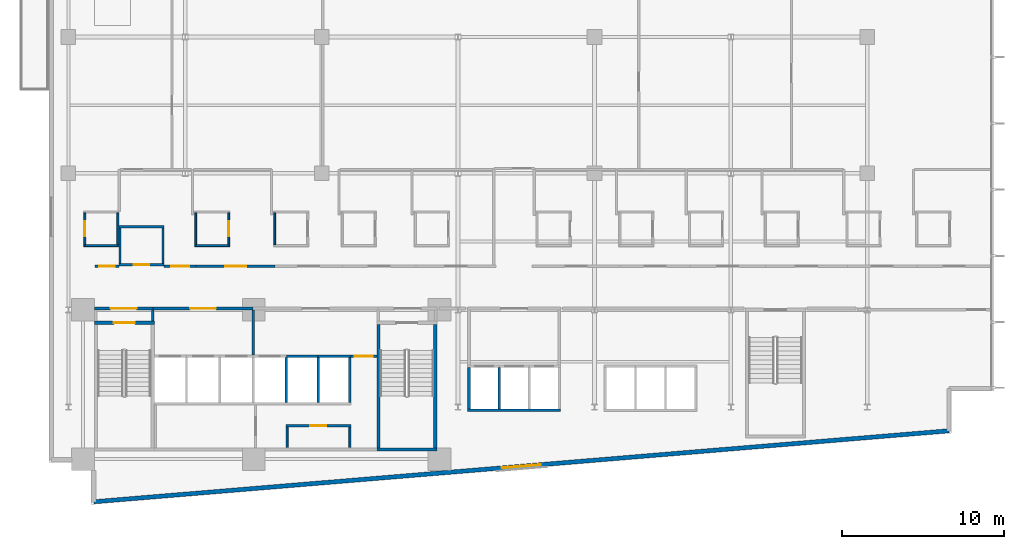
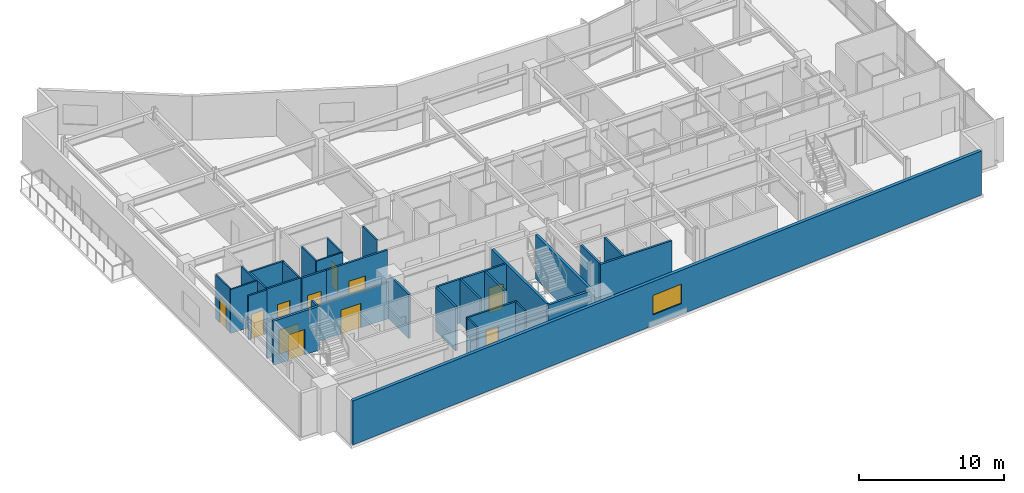
# One storey, part 12 of 21: 35 walls, 11 doors, 1 window, 12 openings.
"""IFC4 building model written with IfcOpenShell, lengths in metres."""

from ifc_helpers import new_model, si_unit, direction, frame, frame_2d, origin, place, context, subcontext, project, spatial, rectangle, extrude, material, layer, layer_set, type_object, element, fill, save


model = new_model("IFC4")

# Units and contexts
model_context = context("Model", 3, precision=1e-05, world=origin(), true_north=direction((0.0, 1.0)))
body_context = subcontext(model_context, "Body", "Model", "MODEL_VIEW")
ifc_project = project(units=[si_unit("LENGTHUNIT", "METRE"), si_unit("AREAUNIT", "SQUARE_METRE"), si_unit("VOLUMEUNIT", "CUBIC_METRE"), si_unit("PLANEANGLEUNIT", "RADIAN"), si_unit("MASSUNIT", "GRAM", prefix="KILO")], contexts=[model_context])

# Site, building, storey
site_placement = place(None, origin())
site = spatial("IfcSite", under=ifc_project, at=site_placement, CompositionType="ELEMENT")
building_placement = place(site_placement, origin())
building = spatial("IfcBuilding", under=site, at=building_placement, Name="Varnakote Quay Hospital", CompositionType="ELEMENT")
storey_placement = place(building_placement, frame((0.0, 0.0, 42.25)))
storey = spatial("IfcBuildingStorey", under=building, at=storey_placement, Name="L10", CompositionType="ELEMENT", Elevation=42.25)

# Wall, opening, door
ifc_material_1 = material(Name="Fire-rated acoustic gypsum stud wall", Category="gypsum")
ifc_layer_1 = layer(ifc_material_1, 0.159912109375)
ifc_layer_set_1 = layer_set([ifc_layer_1], Name="Fire-rated acoustic gypsum stud wall")
wall_type_1 = type_object("IfcWallType", Name="WL-COMP-160", PredefinedType="PARTITIONING", material=ifc_layer_set_1)
wall_1_placement = place(storey_placement, frame((2.800048828125, 12.080078125, 0.0), z_axis=(0.0, 0.0, 1.0), x_axis=(1.0, 0.0, 0.0)))
wall_1 = element("IfcWall", 1, at=wall_1_placement, inside=storey, type_object=wall_type_1, Name="L10 West Stair Vestibule Smoke Wall", PredefinedType="PARTITIONING", context=body_context, shape_type="SweptSolid", body=[
    extrude(rectangle(XDim=3.599853515625, YDim=0.159912109375, at=frame_2d((1.7998046875, 0.0))), origin(), (0.0, 0.0, 1.0), 3.072998046875),
])
opening_1_placement = place(wall_1_placement, frame((1.0, 0.0, 0.0)))
opening_1 = element("IfcOpeningElement", 2, at=opening_1_placement, cuts=wall_1, Name="Opening D-ST1L-L10", PredefinedType="OPENING", context=body_context, shape_type="SweptSolid", body=[
    extrude(rectangle(XDim=1.60009765625, YDim=2.050048828125, at=frame_2d((0.800048828125, 1.02490234375))), frame((0.0, 0.08984375, 0.0), z_axis=(0.0, -1.0, 0.0), x_axis=(1.0, 0.0, 0.0)), (0.0, 0.0, 1.0), 0.179931640625),
])
ifc_material_2 = material(Name="Fire-rated double smoke lobby door")
door_type_1 = type_object("IfcDoorType", Name="DR-LOBBY-FD60S-1600x2150", OperationType="NOTDEFINED", PredefinedType="DOOR", material=ifc_material_2)
door_1_placement = place(opening_1_placement, origin())
door_1 = element("IfcDoor", 3, at=door_1_placement, inside=storey, type_object=door_type_1, Name="L10 West Stair Vestibule Smoke Door", OperationType="DOUBLE_DOOR_SINGLE_SWING", OverallHeight=2.050048828125, OverallWidth=1.60009765625, PredefinedType="DOOR", context=body_context, shape_type="SweptSolid", body=[
    extrude(rectangle(XDim=1.60009765625, YDim=2.050048828125, at=frame_2d((0.800048828125, 1.02490234375))), frame((0.0, 0.02490234375, 0.0), z_axis=(0.0, -1.0, 0.0), x_axis=(1.0, 0.0, 0.0)), (0.0, 0.0, 1.0), 0.050048828125),
])
fill(opening_1, door_1)

# Wall
wall_2_placement = place(storey_placement, frame((6.39990234375, 11.300048828125, 0.0), z_axis=(0.0, 0.0, 1.0), x_axis=(0.0, 1.0, 0.0)))
element("IfcWall", 4, at=wall_2_placement, inside=storey, type_object=wall_type_1, Name="L10 Firefighting Lobby West Wall", PredefinedType="PARTITIONING", context=body_context, shape_type="SweptSolid", body=[
    extrude(rectangle(XDim=0.699951171875, YDim=0.159912109375, at=frame_2d((0.35009765625, 0.0))), origin(), (0.0, 0.0, 1.0), 3.7099609375),
])

# Wall, opening, door
wall_3_placement = place(storey_placement, frame((6.39990234375, 12.080078125, 0.0), z_axis=(0.0, 0.0, 1.0), x_axis=(1.0, 0.0, 0.0)))
wall_3 = element("IfcWall", 5, at=wall_3_placement, inside=storey, type_object=wall_type_1, Name="L10 Firefighting Lift Lobby Compartment Wall", PredefinedType="PARTITIONING", context=body_context, shape_type="SweptSolid", body=[
    extrude(rectangle(XDim=6.18017578125, YDim=0.159912109375, at=frame_2d((3.090087890625, 0.0))), origin(), (0.0, 0.0, 1.0), 3.072998046875),
])
opening_2_placement = place(wall_3_placement, frame((2.2900390625, 0.0, 0.0)))
opening_2 = element("IfcOpeningElement", 6, at=opening_2_placement, cuts=wall_3, Name="Opening D-FFL-L10", PredefinedType="OPENING", context=body_context, shape_type="SweptSolid", body=[
    extrude(rectangle(XDim=1.60009765625, YDim=2.050048828125, at=frame_2d((0.800048828125, 1.02490234375))), frame((0.0, 0.08984375, 0.0), z_axis=(0.0, -1.0, 0.0), x_axis=(1.0, 0.0, 0.0)), (0.0, 0.0, 1.0), 0.179931640625),
])
door_2_placement = place(opening_2_placement, origin())
door_2 = element("IfcDoor", 7, at=door_2_placement, inside=storey, type_object=door_type_1, Name="L10 Firefighting Smoke Vestibule Door", OperationType="DOUBLE_DOOR_SINGLE_SWING", OverallHeight=2.050048828125, OverallWidth=1.60009765625, PredefinedType="DOOR", context=body_context, shape_type="SweptSolid", body=[
    extrude(rectangle(XDim=1.60009765625, YDim=2.050048828125, at=frame_2d((0.800048828125, 1.02490234375))), frame((0.0, 0.02490234375, 0.0), z_axis=(0.0, -1.0, 0.0), x_axis=(1.0, 0.0, 0.0)), (0.0, 0.0, 1.0), 0.050048828125),
])
fill(opening_2, door_2)

# Walls
wall_4_placement = place(storey_placement, frame((12.580078125, 9.2099609375, 0.0), z_axis=(0.0, 0.0, 1.0), x_axis=(0.0, 1.0, 0.0)))
element("IfcWall", 8, at=wall_4_placement, inside=storey, type_object=wall_type_1, Name="L10 Firefighting to Service Lobby Wall", PredefinedType="PARTITIONING", context=body_context, shape_type="SweptSolid", body=[
    extrude(rectangle(XDim=2.7900390625, YDim=0.159912109375, at=frame_2d((1.39501953125, 0.0))), origin(), (0.0, 0.0, 1.0), 3.7099609375),
])
ifc_material_3 = material(Name="Moisture-resistant bathroom partition", Category="gypsum")
ifc_layer_2 = layer(ifc_material_3, 0.114990234375)
ifc_layer_set_2 = layer_set([ifc_layer_2], Name="Moisture-resistant bathroom partition")
wall_type_2 = type_object("IfcWallType", Name="WL-ENS-115", PredefinedType="PARTITIONING", material=ifc_layer_set_2)
wall_5_placement = place(storey_placement, frame((2.155029296875, 15.952392578125, 0.0), z_axis=(0.0, 0.0, 1.0), x_axis=(1.0, 0.0, 0.0)))
element("IfcWall", 9, at=wall_5_placement, inside=storey, type_object=wall_type_2, Name="L10 Inpatient En-Suite Bathroom 01 S Wall", PredefinedType="PARTITIONING", context=body_context, shape_type="SweptSolid", body=[
    extrude(rectangle(XDim=2.14990234375, YDim=0.114990234375, at=frame_2d((1.074951171875, 0.0))), origin(), (0.0, 0.0, 1.0), 3.7099609375),
])

# Wall, opening, door
wall_6_placement = place(storey_placement, frame((2.21240234375, 16.010009765625, 0.0), z_axis=(0.0, 0.0, 1.0), x_axis=(0.0, 1.0, 0.0)))
wall_6 = element("IfcWall", 10, at=wall_6_placement, inside=storey, type_object=wall_type_2, Name="L10 Inpatient En-Suite Bathroom 01 W Wall", PredefinedType="PARTITIONING", context=body_context, shape_type="SweptSolid", body=[
    extrude(rectangle(XDim=1.949951171875, YDim=0.114990234375, at=frame_2d((0.97509765625, 0.0))), origin(), (0.0, 0.0, 1.0), 3.7099609375),
])
opening_3_placement = place(wall_6_placement, frame((0.514892578125, 0.0, 0.0)))
opening_3 = element("IfcOpeningElement", 11, at=opening_3_placement, cuts=wall_6, Name="Opening D-L10-ENS01", PredefinedType="OPENING", context=body_context, shape_type="SweptSolid", body=[
    extrude(rectangle(XDim=0.919921875, YDim=2.10009765625, at=frame_2d((0.4599609375, 1.050048828125))), frame((0.0, 0.0673828125, 0.0), z_axis=(0.0, -1.0, 0.0), x_axis=(1.0, 0.0, 0.0)), (0.0, 0.0, 1.0), 0.135009765625),
])
ifc_material_4 = material(Name="Moisture-sealed en-suite bathroom door")
door_type_2 = type_object("IfcDoorType", Name="DR-ENS-920x2100", OperationType="NOTDEFINED", PredefinedType="DOOR", material=ifc_material_4)
door_3_placement = place(opening_3_placement, origin())
door_3 = element("IfcDoor", 12, at=door_3_placement, inside=storey, type_object=door_type_2, Name="L10 Inpatient En-Suite Bathroom 01 Door", OperationType="SINGLE_SWING_LEFT", OverallHeight=2.10009765625, OverallWidth=0.919921875, PredefinedType="DOOR", context=body_context, shape_type="SweptSolid", body=[
    extrude(rectangle(XDim=0.919921875, YDim=2.10009765625, at=frame_2d((0.4599609375, 1.050048828125))), frame((0.0, 0.02490234375, 0.0), z_axis=(0.0, -1.0, 0.0), x_axis=(1.0, 0.0, 0.0)), (0.0, 0.0, 1.0), 0.050048828125),
])
fill(opening_3, door_3)

# Walls
wall_7_placement = place(storey_placement, frame((4.24755859375, 16.010009765625, 0.0), z_axis=(0.0, 0.0, 1.0), x_axis=(0.0, 1.0, 0.0)))
element("IfcWall", 13, at=wall_7_placement, inside=storey, type_object=wall_type_2, Name="L10 Inpatient En-Suite Bathroom 01 E Wall", PredefinedType="PARTITIONING", context=body_context, shape_type="SweptSolid", body=[
    extrude(rectangle(XDim=1.949951171875, YDim=0.114990234375, at=frame_2d((0.97509765625, 0.0))), origin(), (0.0, 0.0, 1.0), 3.7099609375),
])
wall_8_placement = place(storey_placement, frame((8.985107421875, 15.952392578125, 0.0), z_axis=(0.0, 0.0, 1.0), x_axis=(1.0, 0.0, 0.0)))
element("IfcWall", 14, at=wall_8_placement, inside=storey, type_object=wall_type_2, Name="L10 Inpatient En-Suite Bathroom 02 S Wall", PredefinedType="PARTITIONING", context=body_context, shape_type="SweptSolid", body=[
    extrude(rectangle(XDim=2.14990234375, YDim=0.114990234375, at=frame_2d((1.074951171875, 0.0))), origin(), (0.0, 0.0, 1.0), 3.7099609375),
])
wall_9_placement = place(storey_placement, frame((9.04248046875, 16.010009765625, 0.0), z_axis=(0.0, 0.0, 1.0), x_axis=(0.0, 1.0, 0.0)))
element("IfcWall", 15, at=wall_9_placement, inside=storey, type_object=wall_type_2, Name="L10 Inpatient En-Suite Bathroom 02 W Wall", PredefinedType="PARTITIONING", context=body_context, shape_type="SweptSolid", body=[
    extrude(rectangle(XDim=1.949951171875, YDim=0.114990234375, at=frame_2d((0.97509765625, 0.0))), origin(), (0.0, 0.0, 1.0), 3.7099609375),
])

# Wall, opening, door
wall_10_placement = place(storey_placement, frame((11.077392578125, 16.010009765625, 0.0), z_axis=(0.0, 0.0, 1.0), x_axis=(0.0, 1.0, 0.0)))
wall_10 = element("IfcWall", 16, at=wall_10_placement, inside=storey, type_object=wall_type_2, Name="L10 Inpatient En-Suite Bathroom 02 E Wall", PredefinedType="PARTITIONING", context=body_context, shape_type="SweptSolid", body=[
    extrude(rectangle(XDim=1.949951171875, YDim=0.114990234375, at=frame_2d((0.97509765625, 0.0))), origin(), (0.0, 0.0, 1.0), 3.7099609375),
])
opening_4_placement = place(wall_10_placement, frame((0.514892578125, 0.0, 0.0)))
opening_4 = element("IfcOpeningElement", 17, at=opening_4_placement, cuts=wall_10, Name="Opening D-L10-ENS02", PredefinedType="OPENING", context=body_context, shape_type="SweptSolid", body=[
    extrude(rectangle(XDim=0.919921875, YDim=2.10009765625, at=frame_2d((0.4599609375, 1.050048828125))), frame((0.0, 0.0673828125, 0.0), z_axis=(0.0, -1.0, 0.0), x_axis=(1.0, 0.0, 0.0)), (0.0, 0.0, 1.0), 0.135009765625),
])
door_4_placement = place(opening_4_placement, origin())
door_4 = element("IfcDoor", 18, at=door_4_placement, inside=storey, type_object=door_type_2, Name="L10 Inpatient En-Suite Bathroom 02 Door", OperationType="SINGLE_SWING_RIGHT", OverallHeight=2.10009765625, OverallWidth=0.919921875, PredefinedType="DOOR", context=body_context, shape_type="SweptSolid", body=[
    extrude(rectangle(XDim=0.919921875, YDim=2.10009765625, at=frame_2d((0.4599609375, 1.050048828125))), frame((0.0, 0.02490234375, 0.0), z_axis=(0.0, -1.0, 0.0), x_axis=(1.0, 0.0, 0.0)), (0.0, 0.0, 1.0), 0.050048828125),
])
fill(opening_4, door_4)

# Wall
wall_11_placement = place(storey_placement, frame((13.91259765625, 16.010009765625, 0.0), z_axis=(0.0, 0.0, 1.0), x_axis=(0.0, 1.0, 0.0)))
element("IfcWall", 19, at=wall_11_placement, inside=storey, type_object=wall_type_2, Name="L10 Inpatient En-Suite Bathroom 03 W Wall", PredefinedType="PARTITIONING", context=body_context, shape_type="SweptSolid", body=[
    extrude(rectangle(XDim=1.949951171875, YDim=0.114990234375, at=frame_2d((0.97509765625, 0.0))), origin(), (0.0, 0.0, 1.0), 3.7099609375),
])

# Wall, opening, window
ifc_material_5 = material(Name="Precast concrete N50 (f'c 50 MPa)", Category="concrete")
ifc_layer_3 = layer(ifc_material_5, 0.260009765625)
ifc_layer_set_3 = layer_set([ifc_layer_3], Name="Precast concrete N50 (f'c 50 MPa)")
wall_type_3 = type_object("IfcWallType", Name="WL-EXT-BRICK-260", PredefinedType="STANDARD", material=ifc_layer_set_3)
wall_12_placement = place(storey_placement, frame((2.760009765625, 0.173828125, 0.0), z_axis=(0.0, 0.0, 1.0), x_axis=(0.996571478456, 0.082736257641, 0.0)))
wall_12 = element("IfcWall", 20, at=wall_12_placement, inside=storey, type_object=wall_type_3, Name="L10 Brick-Faced Precast Exterior Wall", PredefinedType="STANDARD", context=body_context, shape_type="SweptSolid", body=[
    extrude(rectangle(XDim=52.861083984375, YDim=0.260009765625, at=frame_2d((26.4306640625, 0.0))), origin(), (0.0, 0.0, 1.0), 3.7099609375),
])
opening_5_placement = place(wall_12_placement, frame((25.230712890625, 0.0, 0.89990234375)))
opening_5 = element("IfcOpeningElement", 21, at=opening_5_placement, cuts=wall_12, Name="Opening WN-0054", PredefinedType="OPENING", context=body_context, shape_type="SweptSolid", body=[
    extrude(rectangle(XDim=2.39990234375, YDim=1.64990234375, at=frame_2d((1.199951171875, 0.824951171875))), frame((0.0, 0.139892578125, 0.0), z_axis=(0.0, -1.0, 0.0), x_axis=(1.0, 0.0, 0.0)), (0.0, 0.0, 1.0), 0.280029296875),
])
ifc_material_6 = material(Name="Double-glazed low-E solar glass", Category="glass")
window_type = type_object("IfcWindowType", Name="WIN-CLIN-2400x1650", PartitioningType="SINGLE_PANEL", PredefinedType="WINDOW", material=ifc_material_6)
window_placement = place(opening_5_placement, origin())
window = element("IfcWindow", 22, at=window_placement, inside=storey, type_object=window_type, Name="L10 Solar-Control Clinical Window", OverallHeight=1.64990234375, OverallWidth=2.39990234375, PartitioningType="SINGLE_PANEL", PredefinedType="WINDOW", context=body_context, shape_type="SweptSolid", body=[
    extrude(rectangle(XDim=2.39990234375, YDim=1.64990234375, at=frame_2d((1.199951171875, 0.824951171875))), frame((0.0, 0.030029296875, 0.0), z_axis=(0.0, -1.0, 0.0), x_axis=(1.0, 0.0, 0.0)), (0.0, 0.0, 1.0), 0.06005859375),
])
fill(opening_5, window)

# Walls
ifc_material_7 = material(Name="Concrete N50 (f'c 50 MPa)", Category="concrete")
ifc_layer_4 = layer(ifc_material_7, 0.14990234375)
ifc_layer_set_4 = layer_set([ifc_layer_4], Name="Concrete N50 (f'c 50 MPa)")
wall_type_4 = type_object("IfcWallType", Name="WL-SHAFT-N50-150", PredefinedType="SHEAR", material=ifc_layer_set_4)
for number, where, z_axis, x_axis, name in (
    (23, (14.625, 6.300048828125, 0.0), (0.0, 0.0, 1.0), (0.0, 1.0, 0.0), "L10 LF-SV2 Hoistway Divider Wall"),
    (24, (16.574951171875, 6.300048828125, 0.0), (0.0, 0.0, 1.0), (0.0, 1.0, 0.0), "L10 LF-PH1 Hoistway Divider Wall"),
):
    element("IfcWall", number, at=place(storey_placement, frame(where, z_axis=z_axis, x_axis=x_axis)), inside=storey, type_object=wall_type_4, Name=name, PredefinedType="SHEAR", context=body_context, shape_type="SweptSolid", body=[
        extrude(rectangle(XDim=2.75, YDim=0.14990234375, at=frame_2d((1.375, 0.0))), origin(), (0.0, 0.0, 1.0), 3.7099609375),
    ])
wall_13_placement = place(storey_placement, frame((27.72509765625, 5.89990234375, 0.0), z_axis=(0.0, 0.0, 1.0), x_axis=(0.0, 1.0, 0.0)))
element("IfcWall", 25, at=wall_13_placement, inside=storey, type_object=wall_type_4, Name="L10 LF-PL1 Hoistway Divider Wall", PredefinedType="SHEAR", context=body_context, shape_type="SweptSolid", body=[
    extrude(rectangle(XDim=2.550048828125, YDim=0.14990234375, at=frame_2d((1.27490234375, 0.0))), origin(), (0.0, 0.0, 1.0), 3.7099609375),
])
ifc_material_8 = material(Name="Concrete N50 (f'c 50 MPa)", Category="concrete")
ifc_layer_5 = layer(ifc_material_8, 0.159912109375)
ifc_layer_set_5 = layer_set([ifc_layer_5], Name="Concrete N50 (f'c 50 MPa)")
wall_type_5 = type_object("IfcWallType", Name="WL-SHAFT-N50-160", PredefinedType="SHEAR", material=ifc_layer_set_5)
wall_14_placement = place(storey_placement, frame((18.530029296875, 6.300048828125, 0.0), z_axis=(0.0, 0.0, 1.0), x_axis=(0.0, 1.0, 0.0)))
element("IfcWall", 26, at=wall_14_placement, inside=storey, type_object=wall_type_5, Name="L10 REAR Lift Bank East Shear Wall", PredefinedType="SHEAR", context=body_context, shape_type="SweptSolid", body=[
    extrude(rectangle(XDim=2.75, YDim=0.159912109375, at=frame_2d((1.375, 0.0))), origin(), (0.0, 0.0, 1.0), 3.7099609375),
])
wall_15_placement = place(storey_placement, frame((14.625, 9.1298828125, 0.0), z_axis=(0.0, 0.0, 1.0), x_axis=(1.0, 0.0, 0.0)))
element("IfcWall", 27, at=wall_15_placement, inside=storey, type_object=wall_type_5, Name="L10 LF-PH1 Hoistway Front Wall", PredefinedType="SHEAR", context=body_context, shape_type="SweptSolid", body=[
    extrude(rectangle(XDim=1.949951171875, YDim=0.159912109375, at=frame_2d((0.97509765625, 0.0))), origin(), (0.0, 0.0, 1.0), 3.7099609375),
])
wall_16_placement = place(storey_placement, frame((16.574951171875, 9.1298828125, 0.0), z_axis=(0.0, 0.0, 1.0), x_axis=(1.0, 0.0, 0.0)))
element("IfcWall", 28, at=wall_16_placement, inside=storey, type_object=wall_type_5, Name="L10 LF-PH2 Hoistway Front Wall", PredefinedType="SHEAR", context=body_context, shape_type="SweptSolid", body=[
    extrude(rectangle(XDim=2.03515625, YDim=0.159912109375, at=frame_2d((1.017578125, 0.0))), origin(), (0.0, 0.0, 1.0), 3.7099609375),
])
wall_17_placement = place(storey_placement, frame((25.7900390625, 5.820068359375, 0.0), z_axis=(0.0, 0.0, 1.0), x_axis=(1.0, 0.0, 0.0)))
element("IfcWall", 29, at=wall_17_placement, inside=storey, type_object=wall_type_5, Name="L10 LOW Lift Bank Back Shear Wall", PredefinedType="SHEAR", context=body_context, shape_type="SweptSolid", body=[
    extrude(rectangle(XDim=5.719970703125, YDim=0.159912109375, at=frame_2d((2.85986328125, 0.0))), origin(), (0.0, 0.0, 1.0), 3.7099609375),
])
wall_18_placement = place(storey_placement, frame((25.8701171875, 5.89990234375, 0.0), z_axis=(0.0, 0.0, 1.0), x_axis=(0.0, 1.0, 0.0)))
element("IfcWall", 30, at=wall_18_placement, inside=storey, type_object=wall_type_5, Name="L10 LOW Lift Bank West Shear Wall", PredefinedType="SHEAR", context=body_context, shape_type="SweptSolid", body=[
    extrude(rectangle(XDim=2.550048828125, YDim=0.159912109375, at=frame_2d((1.27490234375, 0.0))), origin(), (0.0, 0.0, 1.0), 3.7099609375),
])

# Wall, opening, door
ifc_material_9 = material(Name="Concrete N50 (f'c 50 MPa)", Category="concrete")
ifc_layer_6 = layer(ifc_material_9, 0.199951171875)
ifc_layer_set_6 = layer_set([ifc_layer_6], Name="Concrete N50 (f'c 50 MPa)")
wall_type_6 = type_object("IfcWallType", Name="WL-SHAFT-N50-200", PredefinedType="SHEAR", material=ifc_layer_set_6)
wall_19_placement = place(storey_placement, frame((2.800048828125, 11.199951171875, 0.0), z_axis=(0.0, 0.0, 1.0), x_axis=(1.0, 0.0, 0.0)))
wall_19 = element("IfcWall", 31, at=wall_19_placement, inside=storey, type_object=wall_type_6, Name="L10 Stair ST1 Exit Wall", PredefinedType="SHEAR", context=body_context, shape_type="SweptSolid", body=[
    extrude(rectangle(XDim=3.699951171875, YDim=0.199951171875, at=frame_2d((1.85009765625, 0.0))), origin(), (0.0, 0.0, 1.0), 3.7099609375),
])
opening_6_placement = place(wall_19_placement, frame((1.199951171875, 0.0, 0.0)))
opening_6 = element("IfcOpeningElement", 32, at=opening_6_placement, cuts=wall_19, Name="Opening D-ST1-L10", PredefinedType="OPENING", context=body_context, shape_type="SweptSolid", body=[
    extrude(rectangle(XDim=1.300048828125, YDim=2.14990234375, at=frame_2d((0.64990234375, 1.074951171875))), frame((0.0, 0.10986328125, 0.0), z_axis=(0.0, -1.0, 0.0), x_axis=(1.0, 0.0, 0.0)), (0.0, 0.0, 1.0), 0.219970703125),
])
ifc_material_10 = material(Name="Fire-rated ceramic-glazed timber exit door", Category="wood")
door_type_3 = type_object("IfcDoorType", Name="DR-STAIR-FD60S-1300x2150", OperationType="NOTDEFINED", PredefinedType="DOOR", material=ifc_material_10)
door_5_placement = place(opening_6_placement, origin())
door_5 = element("IfcDoor", 33, at=door_5_placement, inside=storey, type_object=door_type_3, Name="L10 Stair ST1 Fire Exit Door", OperationType="SINGLE_SWING_RIGHT", OverallHeight=2.14990234375, OverallWidth=1.300048828125, PredefinedType="DOOR", context=body_context, shape_type="SweptSolid", body=[
    extrude(rectangle(XDim=1.300048828125, YDim=2.14990234375, at=frame_2d((0.64990234375, 1.074951171875))), frame((0.0, 0.02490234375, 0.0), z_axis=(0.0, -1.0, 0.0), x_axis=(1.0, 0.0, 0.0)), (0.0, 0.0, 1.0), 0.050048828125),
])
fill(opening_6, door_5)

# Walls
wall_20_placement = place(storey_placement, frame((20.199951171875, 3.39990234375, 0.0), z_axis=(0.0, 0.0, 1.0), x_axis=(1.0, 0.0, 0.0)))
element("IfcWall", 34, at=wall_20_placement, inside=storey, type_object=wall_type_6, Name="L10 Stair ST2 South Shaft Wall", PredefinedType="SHEAR", context=body_context, shape_type="SweptSolid", body=[
    extrude(rectangle(XDim=3.699951171875, YDim=0.199951171875, at=frame_2d((1.85009765625, 0.0))), origin(), (0.0, 0.0, 1.0), 3.7099609375),
])
for number, where, z_axis, x_axis, name in (
    (35, (20.300048828125, 3.5, 0.0), (0.0, 0.0, 1.0), (0.0, 1.0, 0.0), "L10 Stair ST2 West Shaft Wall"),
    (36, (23.800048828125, 3.5, 0.0), (0.0, 0.0, 1.0), (0.0, 1.0, 0.0), "L10 Stair ST2 East Shaft Wall"),
):
    element("IfcWall", number, at=place(storey_placement, frame(where, z_axis=z_axis, x_axis=x_axis)), inside=storey, type_object=wall_type_6, Name=name, PredefinedType="SHEAR", context=body_context, shape_type="SweptSolid", body=[
        extrude(rectangle(XDim=7.60009765625, YDim=0.199951171875, at=frame_2d((3.800048828125, 0.0))), origin(), (0.0, 0.0, 1.0), 3.7099609375),
    ])
ifc_material_11 = material(Name="Smoke-proof clinical partition", Category="gypsum")
ifc_layer_7 = layer(ifc_material_11, 0.1201171875)
ifc_layer_set_7 = layer_set([ifc_layer_7], Name="Smoke-proof clinical partition")
wall_type_7 = type_object("IfcWallType", Name="WL-SMOKE-120", PredefinedType="PARTITIONING", material=ifc_layer_set_7)
for number, where, z_axis, x_axis, name in (
    (37, (14.669921875, 3.52001953125, 0.0), (0.0, 0.0, 1.0), (0.0, 1.0, 0.0), "L10 Core WC West Wall"),
    (38, (18.5400390625, 3.52001953125, 0.0), (0.0, 0.0, 1.0), (0.0, 1.0, 0.0), "L10 Core WC East Wall"),
):
    element("IfcWall", number, at=place(storey_placement, frame(where, z_axis=z_axis, x_axis=x_axis)), inside=storey, type_object=wall_type_7, Name=name, PredefinedType="PARTITIONING", context=body_context, shape_type="SweptSolid", body=[
        extrude(rectangle(XDim=1.260009765625, YDim=0.1201171875, at=frame_2d((0.6298828125, 0.0))), origin(), (0.0, 0.0, 1.0), 3.7099609375),
    ])

# Wall, opening, door
ifc_material_12 = material(Name="Fire-rated clinical gypsum partition", Category="gypsum")
ifc_layer_8 = layer(ifc_material_12, 0.139892578125)
ifc_layer_set_8 = layer_set([ifc_layer_8], Name="Fire-rated clinical gypsum partition")
wall_type_8 = type_object("IfcWallType", Name="WL-WARD-140", PredefinedType="PARTITIONING", material=ifc_layer_set_8)
wall_21_placement = place(storey_placement, frame((14.60009765625, 4.85009765625, 0.0), z_axis=(0.0, 0.0, 1.0), x_axis=(1.0, 0.0, 0.0)))
wall_21 = element("IfcWall", 39, at=wall_21_placement, inside=storey, type_object=wall_type_8, Name="L10 Core Staff Sanitary WC North Wall", PredefinedType="PARTITIONING", context=body_context, shape_type="SweptSolid", body=[
    extrude(rectangle(XDim=4.0, YDim=0.139892578125, at=frame_2d((2.0, 0.0))), origin(), (0.0, 0.0, 1.0), 3.7099609375),
])
opening_7_placement = place(wall_21_placement, frame((1.510009765625, 0.0, 0.0)))
opening_7 = element("IfcOpeningElement", 40, at=opening_7_placement, cuts=wall_21, Name="Opening D-L10-CR02", PredefinedType="OPENING", context=body_context, shape_type="SweptSolid", body=[
    extrude(rectangle(XDim=0.97998046875, YDim=2.10009765625, at=frame_2d((0.489990234375, 1.050048828125))), frame((0.0, 0.079833984375, 0.0), z_axis=(0.0, -1.0, 0.0), x_axis=(1.0, 0.0, 0.0)), (0.0, 0.0, 1.0), 0.159912109375),
])
ifc_material_13 = material(Name="Accessible sanitary compartment door")
door_type_4 = type_object("IfcDoorType", Name="DR-WC-980x2100", OperationType="NOTDEFINED", PredefinedType="DOOR", material=ifc_material_13)
door_6_placement = place(opening_7_placement, origin())
door_6 = element("IfcDoor", 41, at=door_6_placement, inside=storey, type_object=door_type_4, Name="L10 Core Staff Sanitary WC Door", OperationType="SINGLE_SWING_RIGHT", OverallHeight=2.10009765625, OverallWidth=0.97998046875, PredefinedType="DOOR", context=body_context, shape_type="SweptSolid", body=[
    extrude(rectangle(XDim=0.97998046875, YDim=2.10009765625, at=frame_2d((0.489990234375, 1.050048828125))), frame((0.0, 0.02490234375, 0.0), z_axis=(0.0, -1.0, 0.0), x_axis=(1.0, 0.0, 0.0)), (0.0, 0.0, 1.0), 0.050048828125),
])
fill(opening_7, door_6)

wall_22_placement = place(storey_placement, frame((18.610107421875, 9.1298828125, 0.0), z_axis=(0.0, 0.0, 1.0), x_axis=(1.0, 0.0, 0.0)))
wall_22 = element("IfcWall", 42, at=wall_22_placement, inside=storey, type_object=wall_type_8, Name="L10 Core Service Corridor North Door Wall", PredefinedType="PARTITIONING", context=body_context, shape_type="SweptSolid", body=[
    extrude(rectangle(XDim=1.58984375, YDim=0.139892578125, at=frame_2d((0.794921875, 0.0))), origin(), (0.0, 0.0, 1.0), 3.7099609375),
])
opening_8_placement = place(wall_22_placement, frame((0.239990234375, 0.0, 0.0)))
opening_8 = element("IfcOpeningElement", 43, at=opening_8_placement, cuts=wall_22, Name="Opening D-CSRV-L10", PredefinedType="OPENING", context=body_context, shape_type="SweptSolid", body=[
    extrude(rectangle(XDim=1.10009765625, YDim=2.10009765625, at=frame_2d((0.550048828125, 1.050048828125))), frame((0.0, 0.079833984375, 0.0), z_axis=(0.0, -1.0, 0.0), x_axis=(1.0, 0.0, 0.0)), (0.0, 0.0, 1.0), 0.159912109375),
])
ifc_material_14 = material(Name="Acoustic timber clinical consult door", Category="wood")
door_type_5 = type_object("IfcDoorType", Name="DR-CLIN-FD30S-1100x2100", OperationType="NOTDEFINED", PredefinedType="DOOR", material=ifc_material_14)
door_7_placement = place(opening_8_placement, origin())
door_7 = element("IfcDoor", 44, at=door_7_placement, inside=storey, type_object=door_type_5, Name="L10 Core Service Corridor Door", OperationType="SINGLE_SWING_LEFT", OverallHeight=2.10009765625, OverallWidth=1.10009765625, PredefinedType="DOOR", context=body_context, shape_type="SweptSolid", body=[
    extrude(rectangle(XDim=1.10009765625, YDim=2.10009765625, at=frame_2d((0.550048828125, 1.050048828125))), frame((0.0, 0.02490234375, 0.0), z_axis=(0.0, -1.0, 0.0), x_axis=(1.0, 0.0, 0.0)), (0.0, 0.0, 1.0), 0.050048828125),
])
fill(opening_8, door_7)

wall_23_placement = place(storey_placement, frame((4.31005859375, 14.77001953125, 0.0), z_axis=(0.0, 0.0, 1.0), x_axis=(1.0, 0.0, 0.0)))
wall_23 = element("IfcWall", 45, at=wall_23_placement, inside=storey, type_object=wall_type_8, Name="L10 Floor Unisex Accessible WC S Wall", PredefinedType="PARTITIONING", context=body_context, shape_type="SweptSolid", body=[
    extrude(rectangle(XDim=2.780029296875, YDim=0.139892578125, at=frame_2d((1.39013671875, 0.0))), origin(), (0.0, 0.0, 1.0), 3.7099609375),
])
opening_9_placement = place(wall_23_placement, frame((0.89990234375, 0.0, 0.0)))
opening_9 = element("IfcOpeningElement", 46, at=opening_9_placement, cuts=wall_23, Name="Opening D-L10-EW01", PredefinedType="OPENING", context=body_context, shape_type="SweptSolid", body=[
    extrude(rectangle(XDim=0.97998046875, YDim=2.10009765625, at=frame_2d((0.489990234375, 1.050048828125))), frame((0.0, 0.079833984375, 0.0), z_axis=(0.0, -1.0, 0.0), x_axis=(1.0, 0.0, 0.0)), (0.0, 0.0, 1.0), 0.159912109375),
])
door_8_placement = place(opening_9_placement, origin())
door_8 = element("IfcDoor", 47, at=door_8_placement, inside=storey, type_object=door_type_4, Name="L10 Floor Unisex Accessible WC Door", OperationType="SINGLE_SWING_RIGHT", OverallHeight=2.10009765625, OverallWidth=0.97998046875, PredefinedType="DOOR", context=body_context, shape_type="SweptSolid", body=[
    extrude(rectangle(XDim=0.97998046875, YDim=2.10009765625, at=frame_2d((0.489990234375, 1.050048828125))), frame((0.0, 0.02490234375, 0.0), z_axis=(0.0, -1.0, 0.0), x_axis=(1.0, 0.0, 0.0)), (0.0, 0.0, 1.0), 0.050048828125),
])
fill(opening_9, door_8)

# Walls
wall_24_placement = place(storey_placement, frame((4.31005859375, 17.110107421875, 0.0), z_axis=(0.0, 0.0, 1.0), x_axis=(1.0, 0.0, 0.0)))
element("IfcWall", 48, at=wall_24_placement, inside=storey, type_object=wall_type_8, Name="L10 Floor Unisex Accessible WC N Wall", PredefinedType="PARTITIONING", context=body_context, shape_type="SweptSolid", body=[
    extrude(rectangle(XDim=2.780029296875, YDim=0.139892578125, at=frame_2d((1.39013671875, 0.0))), origin(), (0.0, 0.0, 1.0), 3.7099609375),
])
for number, where, z_axis, x_axis, name in (
    (49, (4.3798828125, 14.840087890625, 0.0), (0.0, 0.0, 1.0), (0.0, 1.0, 0.0), "L10 Floor Unisex Accessible WC W Wall"),
    (50, (7.02001953125, 14.840087890625, 0.0), (0.0, 0.0, 1.0), (0.0, 1.0, 0.0), "L10 Floor Unisex Accessible WC E Wall"),
):
    element("IfcWall", number, at=place(storey_placement, frame(where, z_axis=z_axis, x_axis=x_axis)), inside=storey, type_object=wall_type_8, Name=name, PredefinedType="PARTITIONING", context=body_context, shape_type="SweptSolid", body=[
        extrude(rectangle(XDim=2.199951171875, YDim=0.139892578125, at=frame_2d((1.10009765625, 0.0))), origin(), (0.0, 0.0, 1.0), 3.7099609375),
    ])

# Wall, opening, door
ifc_material_15 = material(Name="Fire-rated clinical gypsum partition", Category="gypsum")
ifc_layer_9 = layer(ifc_material_15, 0.14990234375)
ifc_layer_set_9 = layer_set([ifc_layer_9], Name="Fire-rated clinical gypsum partition")
wall_type_9 = type_object("IfcWallType", Name="WL-WARD-150", PredefinedType="PARTITIONING", material=ifc_layer_set_9)
wall_25_placement = place(storey_placement, frame((4.30810546875, 14.679931640625, 0.0), z_axis=(0.0, 0.0, 1.0), x_axis=(-1.0, 0.0, 0.0)))
wall_25 = element("IfcWall", 51, at=wall_25_placement, inside=storey, type_object=wall_type_9, Name="L10 Clinical Interior Partition", PredefinedType="PARTITIONING", context=body_context, shape_type="SweptSolid", body=[
    extrude(rectangle(XDim=1.4580078125, YDim=0.14990234375, at=frame_2d((0.72900390625, 0.0))), origin(), (0.0, 0.0, 1.0), 3.7099609375),
])
opening_10_placement = place(wall_25_placement, frame((0.239013671875, 0.0, 0.0)))
opening_10 = element("IfcOpeningElement", 52, at=opening_10_placement, cuts=wall_25, Name="Opening D-L10-BR01", PredefinedType="OPENING", context=body_context, shape_type="SweptSolid", body=[
    extrude(rectangle(XDim=0.97998046875, YDim=2.10009765625, at=frame_2d((0.489990234375, 1.050048828125))), frame((0.0, 0.0849609375, 0.0), z_axis=(0.0, -1.0, 0.0), x_axis=(1.0, 0.0, 0.0)), (0.0, 0.0, 1.0), 0.169921875),
])
door_9_placement = place(opening_10_placement, origin())
door_9 = element("IfcDoor", 53, at=door_9_placement, inside=storey, type_object=door_type_4, Name="L10 Resident Care Bedroom 01 Door", OperationType="SINGLE_SWING_LEFT", OverallHeight=2.10009765625, OverallWidth=0.97998046875, PredefinedType="DOOR", context=body_context, shape_type="SweptSolid", body=[
    extrude(rectangle(XDim=0.97998046875, YDim=2.10009765625, at=frame_2d((0.489990234375, 1.050048828125))), frame((0.0, 0.02490234375, 0.0), z_axis=(0.0, -1.0, 0.0), x_axis=(1.0, 0.0, 0.0)), (0.0, 0.0, 1.0), 0.050048828125),
])
fill(opening_10, door_9)

wall_26_placement = place(storey_placement, frame((9.06591796875, 14.679931640625, 0.0), z_axis=(0.0, 0.0, 1.0), x_axis=(-1.0, 0.0, 0.0)))
wall_26 = element("IfcWall", 54, at=wall_26_placement, inside=storey, type_object=wall_type_9, Name="L10 Clinical Interior Partition", PredefinedType="PARTITIONING", context=body_context, shape_type="SweptSolid", body=[
    extrude(rectangle(XDim=1.973876953125, YDim=0.14990234375, at=frame_2d((0.98681640625, 0.0))), origin(), (0.0, 0.0, 1.0), 3.7099609375),
])
opening_11_placement = place(wall_26_placement, frame((0.43701171875, 0.0, 0.0)))
opening_11 = element("IfcOpeningElement", 55, at=opening_11_placement, cuts=wall_26, Name="Opening D-L10-MD01", PredefinedType="OPENING", context=body_context, shape_type="SweptSolid", body=[
    extrude(rectangle(XDim=1.10009765625, YDim=2.10009765625, at=frame_2d((0.550048828125, 1.050048828125))), frame((0.0, 0.0849609375, 0.0), z_axis=(0.0, -1.0, 0.0), x_axis=(1.0, 0.0, 0.0)), (0.0, 0.0, 1.0), 0.169921875),
])
door_10_placement = place(opening_11_placement, origin())
door_10 = element("IfcDoor", 56, at=door_10_placement, inside=storey, type_object=door_type_5, Name="L10 Ward Nurse Station Office Door", OperationType="SINGLE_SWING_RIGHT", OverallHeight=2.10009765625, OverallWidth=1.10009765625, PredefinedType="DOOR", context=body_context, shape_type="SweptSolid", body=[
    extrude(rectangle(XDim=1.10009765625, YDim=2.10009765625, at=frame_2d((0.550048828125, 1.050048828125))), frame((0.0, 0.02490234375, 0.0), z_axis=(0.0, -1.0, 0.0), x_axis=(1.0, 0.0, 0.0)), (0.0, 0.0, 1.0), 0.050048828125),
])
fill(opening_11, door_10)

wall_27_placement = place(storey_placement, frame((13.93603515625, 14.679931640625, 0.0), z_axis=(0.0, 0.0, 1.0), x_axis=(-1.0, 0.0, 0.0)))
wall_27 = element("IfcWall", 57, at=wall_27_placement, inside=storey, type_object=wall_type_9, Name="L10 Clinical Interior Partition", PredefinedType="PARTITIONING", context=body_context, shape_type="SweptSolid", body=[
    extrude(rectangle(XDim=4.867919921875, YDim=0.14990234375, at=frame_2d((2.43408203125, 0.0))), origin(), (0.0, 0.0, 1.0), 3.7099609375),
])
opening_12_placement = place(wall_27_placement, frame((1.783935546875, 0.0, 0.0)))
opening_12 = element("IfcOpeningElement", 58, at=opening_12_placement, cuts=wall_27, Name="Opening D-L10-BR02", PredefinedType="OPENING", context=body_context, shape_type="SweptSolid", body=[
    extrude(rectangle(XDim=1.300048828125, YDim=2.14990234375, at=frame_2d((0.64990234375, 1.074951171875))), frame((0.0, 0.0849609375, 0.0), z_axis=(0.0, -1.0, 0.0), x_axis=(1.0, 0.0, 0.0)), (0.0, 0.0, 1.0), 0.169921875),
])
ifc_material_16 = material(Name="Solid-core timber clinical bed door", Category="wood")
door_type_6 = type_object("IfcDoorType", Name="DR-WARD-FD30S-1300x2150", OperationType="NOTDEFINED", PredefinedType="DOOR", material=ifc_material_16)
door_11_placement = place(opening_12_placement, origin())
door_11 = element("IfcDoor", 59, at=door_11_placement, inside=storey, type_object=door_type_6, Name="L10 Resident Care Bedroom 02 Door", OperationType="SINGLE_SWING_LEFT", OverallHeight=2.14990234375, OverallWidth=1.300048828125, PredefinedType="DOOR", context=body_context, shape_type="SweptSolid", body=[
    extrude(rectangle(XDim=1.300048828125, YDim=2.14990234375, at=frame_2d((0.64990234375, 1.074951171875))), frame((0.0, 0.02490234375, 0.0), z_axis=(0.0, -1.0, 0.0), x_axis=(1.0, 0.0, 0.0)), (0.0, 0.0, 1.0), 0.050048828125),
])
fill(opening_12, door_11)

save(model, "model.ifc")
